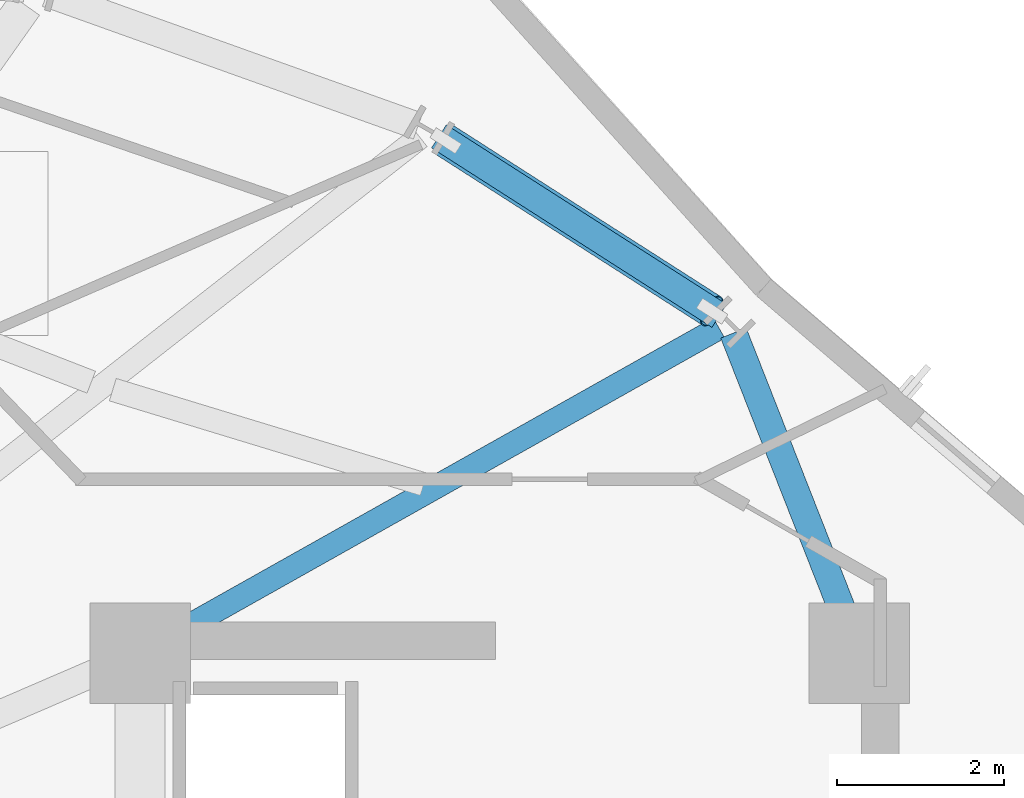
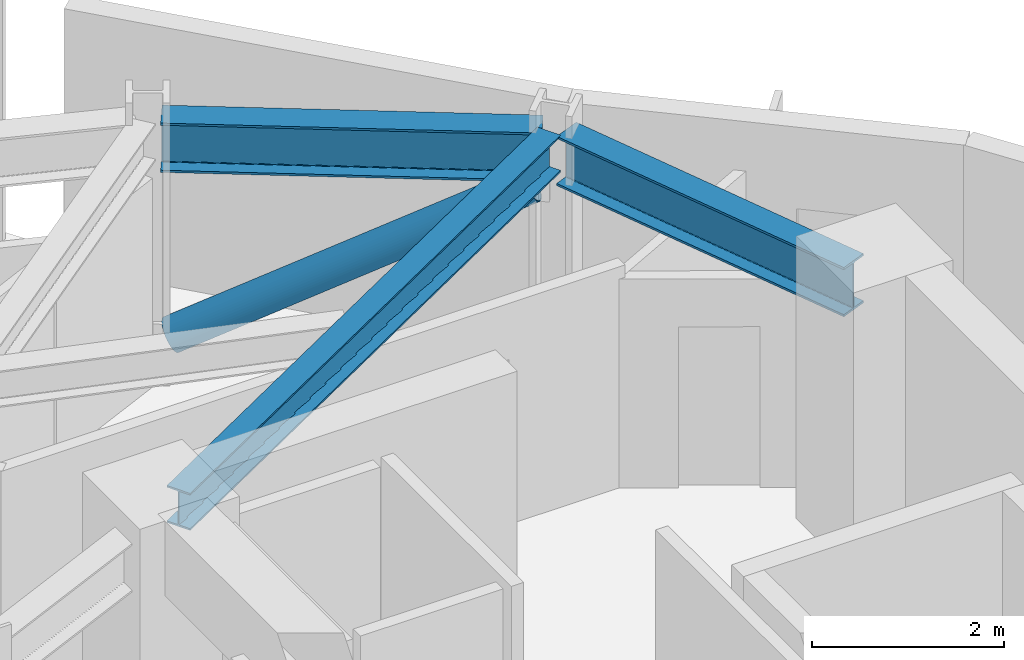
# One storey, part 12 of 25: 3 beams, 1 member.
"""IFC4 building model written with IfcOpenShell, lengths in metres."""

from ifc_helpers import new_model, si_unit, direction, frame, origin, origin_2d, place, context, subcontext, project, spatial, hollow_circle, i_section, extrude, material, material_profile, profile_set, type_object, element, save


model = new_model("IFC4")

# Units and contexts
model_context = context("Model", 3, precision=1e-05, world=origin(), true_north=direction((0.0, 1.0)))
body_context = subcontext(model_context, "Body", "Model", "MODEL_VIEW")
ifc_project = project(units=[si_unit("LENGTHUNIT", "METRE"), si_unit("AREAUNIT", "SQUARE_METRE"), si_unit("VOLUMEUNIT", "CUBIC_METRE"), si_unit("PLANEANGLEUNIT", "RADIAN"), si_unit("MASSUNIT", "GRAM", prefix="KILO")], contexts=[model_context])

# Site, building, storey
site_placement = place(None, origin())
site = spatial("IfcSite", under=ifc_project, at=site_placement, CompositionType="ELEMENT")
building_placement = place(site_placement, origin())
building = spatial("IfcBuilding", under=site, at=building_placement, Name="Solvane Sanctuary Tower", CompositionType="ELEMENT")
storey_placement = place(building_placement, frame((0.0, 0.0, 238.800048828125)))
storey = spatial("IfcBuildingStorey", under=building, at=storey_placement, Name="L73", CompositionType="ELEMENT", Elevation=238.800048828125)

# Beams
ifc_material = material(Name="Steel ASTM A992 Grade 50", Category="steel")
ifc_material_profile_1 = material_profile(ifc_material, i_section(OverallWidth=0.282958984375, OverallDepth=0.471923828125, WebThickness=0.013671875, FlangeThickness=0.022216796875, FilletRadius=0.013916015625, at=origin_2d()), Name="W18X97")
ifc_profile_set_1 = profile_set([ifc_material_profile_1], Name="Steel ASTM A992 Grade 50")
beam_type_1 = type_object("IfcBeamType", Name="Beam B-RAD-Z4 W18X97", PredefinedType="JOIST", material=ifc_profile_set_1)
beam_1_placement = place(storey_placement, frame((40.413818359375, 30.37646484375, 3.08203125), z_axis=(0.87176037811, 0.489932488367, 0.0), x_axis=(-0.489932488367, 0.87176037811, 0.0)))
element("IfcBeam", 1, at=beam_1_placement, inside=storey, type_object=beam_type_1, Name="L73 Radial Composite Floor Beam 01", PredefinedType="JOIST", context=body_context, shape_type="SweptSolid", body=[
    extrude(i_section(OverallWidth=0.282958984375, OverallDepth=0.471923828125, WebThickness=0.013671875, FlangeThickness=0.022216796875, FilletRadius=0.013916015625, at=origin_2d()), origin(), (0.0, 0.0, 1.0), 7.581298828125),
])
ifc_material_profile_2 = material_profile(ifc_material, i_section(OverallWidth=0.327880859375, OverallDepth=0.6279296875, WebThickness=0.0166015625, FlangeThickness=0.027587890625, FilletRadius=0.01611328125, at=origin_2d()), Name="W24X146")
ifc_profile_set_2 = profile_set([ifc_material_profile_2], Name="Steel ASTM A992 Grade 50")
beam_type_2 = type_object("IfcBeamType", Name="Beam B-SPAND-Z3 W24X146", PredefinedType="SPANDREL", material=ifc_profile_set_2)
beam_2_placement = place(storey_placement, frame((43.673095703125, 36.381591796875, 3.00390625), z_axis=(0.842252471835, -0.539083271571, 0.0), x_axis=(0.539083271571, 0.842252471835, 0.0)))
element("IfcBeam", 2, at=beam_2_placement, inside=storey, type_object=beam_type_2, Name="L73 Perimeter Spandrel Beam TC02-TC01", PredefinedType="SPANDREL", context=body_context, shape_type="SweptSolid", body=[
    extrude(i_section(OverallWidth=0.327880859375, OverallDepth=0.6279296875, WebThickness=0.0166015625, FlangeThickness=0.027587890625, FilletRadius=0.01611328125, at=origin_2d()), origin(), (0.0, 0.0, 1.0), 3.982177734375),
])
beam_3_placement = place(storey_placement, frame((47.196044921875, 34.029052734375, 3.00390625), z_axis=(0.365597204344, -0.930773164727, 0.0), x_axis=(0.930773164727, 0.365597204344, 0.0)))
element("IfcBeam", 3, at=beam_3_placement, inside=storey, type_object=beam_type_2, Name="L73 Perimeter Spandrel Beam TC01-CE3", PredefinedType="SPANDREL", context=body_context, shape_type="SweptSolid", body=[
    extrude(i_section(OverallWidth=0.327880859375, OverallDepth=0.6279296875, WebThickness=0.0166015625, FlangeThickness=0.027587890625, FilletRadius=0.01611328125, at=origin_2d()), origin(), (0.0, 0.0, 1.0), 3.833740234375),
])

# Member
ifc_material_profile_3 = material_profile(ifc_material, hollow_circle(Radius=0.202880859375, WallThickness=0.012451171875, at=origin_2d()), Name="CHS406X12.5")
ifc_profile_set_3 = profile_set([ifc_material_profile_3], Name="Steel ASTM A992 Grade 50")
member_type = type_object("IfcMemberType", Name="Member M-TUBE-Z3 CHS406X12.5", PredefinedType="BRACE", material=ifc_profile_set_3)
member_placement = place(storey_placement, frame((43.758544921875, 36.326904296875, 0.5107421875), z_axis=(0.740476313264, -0.473952616824, 0.476512063332), x_axis=(0.539092247698, 0.842246726602, 0.0)))
element("IfcMember", 4, at=member_placement, inside=storey, type_object=member_type, Name="L73 Perimeter Braced-Tube Diagonal NE", PredefinedType="BRACE", context=body_context, shape_type="SweptSolid", body=[
    extrude(hollow_circle(Radius=0.202880859375, WallThickness=0.012451171875, at=origin_2d()), origin(), (0.0, 0.0, 1.0), 4.29248046875),
])

save(model, "model.ifc")
